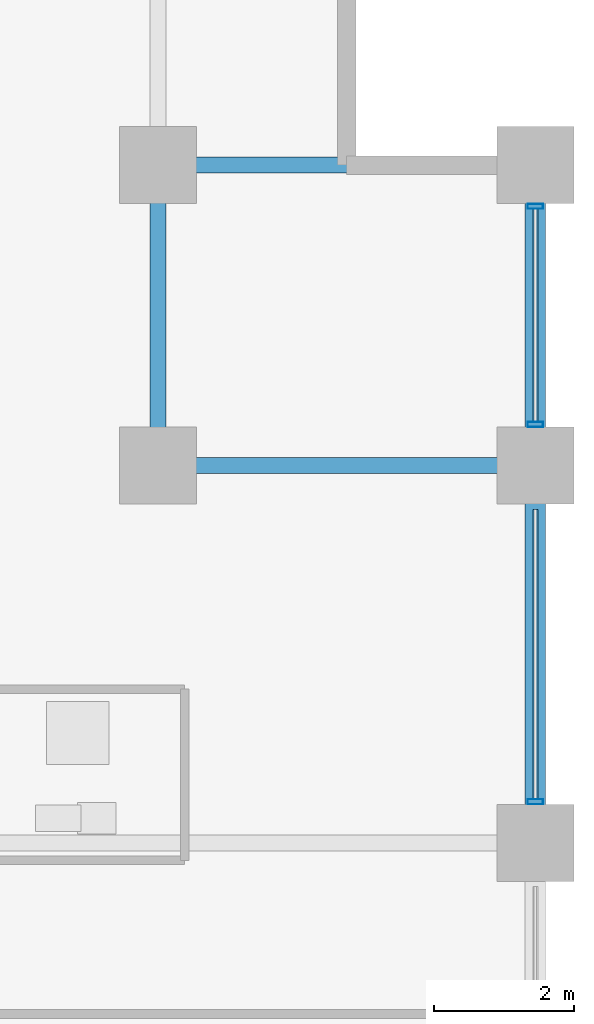
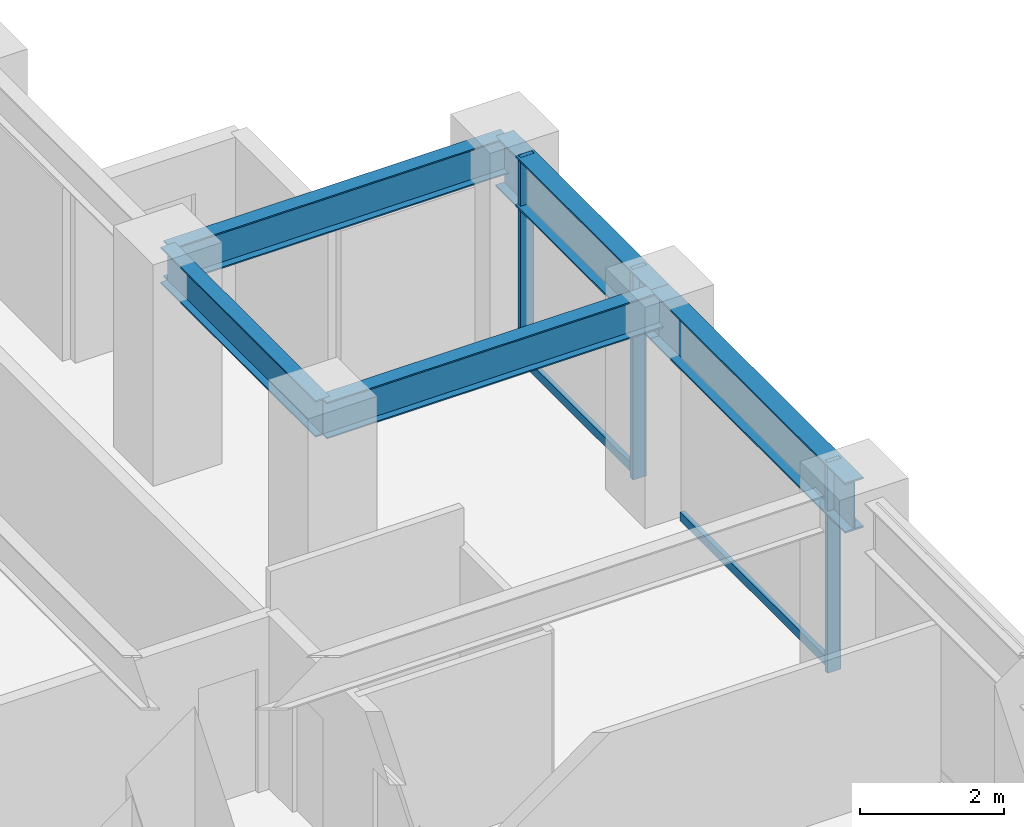
# One storey, part 15 of 25: 5 beams, 5 members, 1 element without a shape of its own.
"""IFC4 building model written with IfcOpenShell, lengths in metres."""

import ifcopenshell
import ifcopenshell.guid

model = None  # the IFC model being written
_history = None  # IfcOwnerHistory: only IFC2X3 demands one
_inside = {}  # id of a spatial element -> (the spatial element, [elements in it])
_under = {}  # id of a project, library or spatial element -> (it, [spatial elements below it])
_declared = {}  # id of a project -> (the project, [libraries it declares])
_typed = {}  # id of a type object -> (the type object, [elements of that type])
_made_of = {}  # id of a material, layer set ... -> (it, [elements and type objects made of it])


def new_model(schema):
    """Start an empty IFC model of exactly this schema.

    Asked for "IFC4X3", IfcOpenShell would pick the latest addendum, in which some entities
    have other attributes; the version numbers below select the first issue.
    IFC2X3 requires an IfcOwnerHistory on every rooted entity: one is made here for all.
    """
    global model, _history
    if schema == "IFC4X3":
        model = ifcopenshell.file(schema_version=(4, 3, 0, 0))
    else:
        model = ifcopenshell.file(schema=schema)
    _inside.clear()
    _under.clear()
    _declared.clear()
    _typed.clear()
    _made_of.clear()
    _history = None
    if model.schema == "IFC2X3":
        org = make("IfcOrganization", Name="unknown")
        user = make(
            "IfcPersonAndOrganization",
            ThePerson=make("IfcPerson", FamilyName="unknown"),
            TheOrganization=org,
        )
        app = make(
            "IfcApplication",
            ApplicationDeveloper=org,
            Version="unknown",
            ApplicationFullName="unknown",
            ApplicationIdentifier="unknown",
        )
        _history = make(
            "IfcOwnerHistory",
            OwningUser=user,
            OwningApplication=app,
            ChangeAction="ADDED",
            CreationDate=0,
        )
    return model


def make(cls, **values):
    """One entity of the class cls with the attributes given. An attribute that is None is left unset."""
    return model.create_entity(
        cls, **{name: value for name, value in values.items() if value is not None}
    )


def rooted(cls, **values):
    """An entity with a GlobalId (a new one), such as an element, a storey or a relation."""
    return make(cls, GlobalId=ifcopenshell.guid.new(), OwnerHistory=_history, **values)


def si_unit(unit_type, name, prefix=None):
    """IfcSIUnit, for example si_unit("LENGTHUNIT", "METRE", prefix="MILLI")."""
    return make("IfcSIUnit", UnitType=unit_type, Prefix=prefix, Name=name)


def assignment(units):
    """IfcUnitAssignment: the units of a project."""
    return None if units is None else make("IfcUnitAssignment", Units=units)


def point(xyz):
    """IfcCartesianPoint."""
    return None if xyz is None else make("IfcCartesianPoint", Coordinates=xyz)


def direction(xyz):
    """IfcDirection."""
    return None if xyz is None else make("IfcDirection", DirectionRatios=xyz)


def frame(location, z_axis=None, x_axis=None):
    """IfcAxis2Placement3D, a coordinate frame: its origin and axes. An axis left out is left unset."""
    return make(
        "IfcAxis2Placement3D",
        Location=point(location),
        Axis=direction(z_axis),
        RefDirection=direction(x_axis),
    )


def frame_2d(location, x_axis=None):
    """IfcAxis2Placement2D, a coordinate frame in the plane: its origin and x axis."""
    return make(
        "IfcAxis2Placement2D", Location=point(location), RefDirection=direction(x_axis)
    )


def origin():
    """The frame at (0, 0, 0) with its axes left unset."""
    return frame((0.0, 0.0, 0.0))


def origin_2d():
    """The frame at (0, 0) in the plane with its x axis left unset."""
    return frame_2d((0.0, 0.0))


def place(relative_to, where):
    """IfcLocalPlacement: puts the frame where relative to a parent placement (None: the world)."""
    return make(
        "IfcLocalPlacement", PlacementRelTo=relative_to, RelativePlacement=where
    )


def context(
    kind, dimensions, precision=None, world=None, true_north=None, identifier=None
):
    """IfcGeometricRepresentationContext, for example the 3D "Model" context."""
    return make(
        "IfcGeometricRepresentationContext",
        ContextIdentifier=identifier,
        ContextType=kind,
        CoordinateSpaceDimension=dimensions,
        Precision=precision,
        WorldCoordinateSystem=world,
        TrueNorth=true_north,
    )


def subcontext(parent, identifier, kind, view, scale=None):
    """IfcGeometricRepresentationSubContext, for example "Body" below "Model"."""
    return make(
        "IfcGeometricRepresentationSubContext",
        ContextIdentifier=identifier,
        ContextType=kind,
        ParentContext=parent,
        TargetScale=scale,
        TargetView=view,
    )


def project(units=None, contexts=None):
    """IfcProject with its units and contexts."""
    return rooted(
        "IfcProject",
        Name="project",
        RepresentationContexts=contexts,
        UnitsInContext=assignment(units),
    )


def spatial(cls, under=None, at=None, **own):
    """A site, building, storey or space (cls), placed at a placement, below another one or the project."""
    s = rooted(cls, ObjectPlacement=at, **own)
    if under is not None:
        _under.setdefault(under.id(), (under, []))[1].append(s)
    return s


def profile(cls, at=None, kind="AREA", **sizes):
    """A parametric profile (cls). Its sizes go by their IFC names, for example OverallWidth=200.0."""
    return make(cls, ProfileType=kind, Position=at, **sizes)


def hollow_rectangle(**sizes):
    """IfcRectangleHollowProfileDef."""
    return profile("IfcRectangleHollowProfileDef", **sizes)


def i_section(**sizes):
    """IfcIShapeProfileDef."""
    return profile("IfcIShapeProfileDef", **sizes)


def extrude(swept, where, along, depth):
    """IfcExtrudedAreaSolid: the profile swept, set in the frame where, extruded along a direction by depth."""
    return make(
        "IfcExtrudedAreaSolid",
        SweptArea=swept,
        Position=where,
        ExtrudedDirection=direction(along),
        Depth=depth,
    )


def shape(context_of_items, identifier, shape_type, items):
    """IfcShapeRepresentation: the items that make up one representation, for example the "Body"."""
    return make(
        "IfcShapeRepresentation",
        ContextOfItems=context_of_items,
        RepresentationIdentifier=identifier,
        RepresentationType=shape_type,
        Items=items,
    )


def material(Name=None, Category=None):
    """IfcMaterial."""
    return make("IfcMaterial", Name=Name, Category=Category)


def layer(
    of_material, thickness, ventilated=None, Name=None, Category=None, Priority=None
):
    """IfcMaterialLayer: one layer of a wall or slab, of a material (None: an air gap)."""
    return make(
        "IfcMaterialLayer",
        Material=of_material,
        LayerThickness=thickness,
        IsVentilated=ventilated,
        Name=Name,
        Category=Category,
        Priority=Priority,
    )


def layer_set(layers, Name=None):
    """IfcMaterialLayerSet."""
    return make("IfcMaterialLayerSet", MaterialLayers=layers, LayerSetName=Name)


def material_profile(
    of_material, cross_section, Name=None, Category=None, Priority=None
):
    """IfcMaterialProfile: a cross section and its material."""
    return make(
        "IfcMaterialProfile",
        Name=Name,
        Material=of_material,
        Profile=cross_section,
        Priority=Priority,
        Category=Category,
    )


def profile_set(profiles, Name=None, composite=None):
    """IfcMaterialProfileSet."""
    return make(
        "IfcMaterialProfileSet",
        Name=Name,
        MaterialProfiles=profiles,
        CompositeProfile=composite,
    )


def made_of(thing, what):
    """Note that an element or type object is made of a material, layer set ...; save() writes the relation."""
    if what is not None:
        _made_of.setdefault(what.id(), (what, []))[1].append(thing)
    return thing


def type_object(cls, material=None, **own):
    """A type object (cls), such as IfcWallType, which elements share."""
    return made_of(rooted(cls, **own), material)


def element(
    cls,
    number,
    at=None,
    inside=None,
    cuts=None,
    type_object=None,
    material=None,
    context=None,
    identifier="Body",
    shape_type=None,
    held_by="IfcProductDefinitionShape",
    body=None,
    shapes=None,
    **own,
):
    """One element of the class cls, such as IfcWall. Its Tag is "e" and its number.

    at: its placement. inside: the storey or other place that contains it. cuts: it is an
    opening in that element (IfcRelVoidsElement). A single representation is given by context,
    identifier, shape_type and body (its items); several are given by shapes. held_by: the class
    of the entity that holds the representations. save() writes the other relations.
    """
    e = rooted(cls, Tag="e%d" % number, ObjectPlacement=at, **own)
    if body is not None:
        shapes = [shape(context, identifier, shape_type, body)]
    if shapes is not None:
        e.Representation = make(held_by, Representations=shapes)
    if inside is not None:
        _inside.setdefault(inside.id(), (inside, []))[1].append(e)
    if cuts is not None:
        rooted(
            "IfcRelVoidsElement", RelatingBuildingElement=cuts, RelatedOpeningElement=e
        )
    if type_object is not None:
        _typed.setdefault(type_object.id(), (type_object, []))[1].append(e)
    return made_of(e, material)


def aggregate(whole, parts):
    """IfcRelAggregates: a whole, such as a stair, and the parts it consists of."""
    return rooted("IfcRelAggregates", RelatingObject=whole, RelatedObjects=parts)


def save(model, path):
    """Write the relations noted so far, then the file.

    IfcRelAggregates (storeys below a building ...), IfcRelContainedInSpatialStructure (elements
    in a storey), IfcRelDefinesByType, IfcRelAssociatesMaterial and IfcRelDeclares: one each for
    every whole, place, type object, material and project.
    """
    for whole, parts in _under.values():
        aggregate(whole, parts)
    for where, things in _inside.values():
        rooted(
            "IfcRelContainedInSpatialStructure",
            RelatedElements=things,
            RelatingStructure=where,
        )
    for kind, things in _typed.values():
        rooted("IfcRelDefinesByType", RelatedObjects=things, RelatingType=kind)
    for what, things in _made_of.values():
        rooted("IfcRelAssociatesMaterial", RelatedObjects=things, RelatingMaterial=what)
    for by, libraries in _declared.values():
        rooted("IfcRelDeclares", RelatingContext=by, RelatedDefinitions=libraries)
    model.write(path)


model = new_model("IFC4")

# Units and contexts
model_context = context("Model", 3, precision=1e-05, world=origin(), true_north=direction((0.0, 1.0)))
body_context = subcontext(model_context, "Body", "Model", "MODEL_VIEW")
ifc_project = project(units=[si_unit("LENGTHUNIT", "METRE"), si_unit("AREAUNIT", "SQUARE_METRE"), si_unit("VOLUMEUNIT", "CUBIC_METRE"), si_unit("PLANEANGLEUNIT", "RADIAN"), si_unit("MASSUNIT", "GRAM", prefix="KILO")], contexts=[model_context])

# Site, building, storey
site_placement = place(None, origin())
site = spatial("IfcSite", under=ifc_project, at=site_placement, CompositionType="ELEMENT")
building_placement = place(site_placement, origin())
building = spatial("IfcBuilding", under=site, at=building_placement, Name="Surkhivell Harbour Commons", CompositionType="ELEMENT")
storey_placement = place(building_placement, frame((0.0, 0.0, 117.0)))
storey = spatial("IfcBuildingStorey", under=building, at=storey_placement, Name="L30", CompositionType="ELEMENT", Elevation=117.0)

# Beams
ifc_material_1 = material(Name="Steel S355", Category="steel")
ifc_material_profile_1 = material_profile(ifc_material_1, i_section(OverallWidth=0.22998046875, OverallDepth=0.616943359375, WebThickness=0.01318359375, FlangeThickness=0.022216796875, at=origin_2d()), Name="UB610x229x140")
ifc_profile_set_1 = profile_set([ifc_material_profile_1], Name="Steel S355")
beam_type_1 = type_object("IfcBeamType", Name="BM-GRD-610B", PredefinedType="BEAM", material=ifc_profile_set_1)
beam_1_placement = place(storey_placement, frame((16.199951171875, 16.199951171875, 3.261474609375), z_axis=(0.0, 1.0, 0.0), x_axis=(-1.0, 0.0, 0.0)))
element("IfcBeam", 1, at=beam_1_placement, inside=storey, type_object=beam_type_1, Name="L30 Floor Girder (16.2,16.2)", PredefinedType="BEAM", context=body_context, shape_type="SweptSolid", body=[
    extrude(i_section(OverallWidth=0.22998046875, OverallDepth=0.616943359375, WebThickness=0.01318359375, FlangeThickness=0.022216796875, at=origin_2d()), origin(), (0.0, 0.0, 1.0), 4.300048828125),
])
for number, where, z_axis, x_axis, name in (
    (2, (16.199951171875, 16.199951171875, 3.261474609375), (1.0, 0.0, 0.0), (0.0, 1.0, 0.0), "L30 Floor Girder (16.2,16.2)"),
    (3, (16.199951171875, 20.5, 3.261474609375), (1.0, 0.0, 0.0), (0.0, 1.0, 0.0), "L30 Floor Girder (16.2,20.5)"),
):
    element("IfcBeam", number, at=place(storey_placement, frame(where, z_axis=z_axis, x_axis=x_axis)), inside=storey, type_object=beam_type_1, Name=name, PredefinedType="BEAM", context=body_context, shape_type="SweptSolid", body=[
        extrude(i_section(OverallWidth=0.22998046875, OverallDepth=0.616943359375, WebThickness=0.01318359375, FlangeThickness=0.022216796875, at=origin_2d()), origin(), (0.0, 0.0, 1.0), 5.400146484375),
    ])
ifc_material_2 = material(Name="Steel S460", Category="steel")
ifc_material_profile_2 = material_profile(ifc_material_2, i_section(OverallWidth=0.2939453125, OverallDepth=0.85107421875, WebThickness=0.01611328125, FlangeThickness=0.02685546875, at=origin_2d()), Name="UB838x292x226")
ifc_profile_set_2 = profile_set([ifc_material_profile_2], Name="Steel S460")
beam_type_2 = type_object("IfcBeamType", Name="BM-SPN-838", PredefinedType="SPANDREL", material=ifc_profile_set_2)
beam_2_placement = place(storey_placement, frame((21.60009765625, 10.800048828125, 3.14453125), z_axis=(0.0, 1.0, 0.0), x_axis=(-1.0, 0.0, 0.0)))
element("IfcBeam", 4, at=beam_2_placement, inside=storey, type_object=beam_type_2, Name="L30 Tube Spandrel (21.6,10.8)", PredefinedType="SPANDREL", context=body_context, shape_type="SweptSolid", body=[
    extrude(i_section(OverallWidth=0.2939453125, OverallDepth=0.85107421875, WebThickness=0.01611328125, FlangeThickness=0.02685546875, at=origin_2d()), origin(), (0.0, 0.0, 1.0), 5.39990234375),
])
beam_3_placement = place(storey_placement, frame((21.60009765625, 16.199951171875, 3.14453125), z_axis=(0.0, 1.0, 0.0), x_axis=(-1.0, 0.0, 0.0)))
element("IfcBeam", 5, at=beam_3_placement, inside=storey, type_object=beam_type_2, Name="L30 Tube Spandrel (21.6,16.2)", PredefinedType="SPANDREL", context=body_context, shape_type="SweptSolid", body=[
    extrude(i_section(OverallWidth=0.2939453125, OverallDepth=0.85107421875, WebThickness=0.01611328125, FlangeThickness=0.02685546875, at=origin_2d()), origin(), (0.0, 0.0, 1.0), 4.300048828125),
])

# Curtain wall, members
ifc_material_3 = material(Name="Anodised pale-metal aluminium and insulated glazing", Category="aluminium")
ifc_layer = layer(ifc_material_3, 0.205078125)
ifc_layer_set = layer_set([ifc_layer], Name="Anodised pale-metal aluminium and insulated glazing")
curtain_wall_type = type_object("IfcCurtainWallType", Name="CW-SYS-Z2", PredefinedType="NOTDEFINED", material=ifc_layer_set)
curtain_wall_placement = place(storey_placement, origin())
curtain_wall = element("IfcCurtainWall", 6, at=curtain_wall_placement, inside=storey, type_object=curtain_wall_type, Name="L30 Curtain Wall CW-L30-E02", PredefinedType="NOTDEFINED")
ifc_material_4 = material(Name="Anodised pale-metal aluminium alloy 6063-T6", Category="aluminium")
ifc_material_profile_3 = material_profile(ifc_material_4, hollow_rectangle(XDim=0.074951171875, YDim=0.219970703125, WallThickness=0.00390625, at=origin_2d()), Name="ALU-MULL-75x220")
ifc_profile_set_3 = profile_set([ifc_material_profile_3], Name="Anodised pale-metal aluminium alloy 6063-T6")
member_type_1 = type_object("IfcMemberType", Name="CWM-220", PredefinedType="MULLION", material=ifc_profile_set_3)
member_1_placement = place(storey_placement, frame((21.60009765625, 11.389404296875, 0.0), z_axis=(0.0, 0.0, 1.0), x_axis=(0.0, 1.0, 0.0)))
member_1 = element("IfcMember", 7, at=member_1_placement, type_object=member_type_1, Name="CW-Z2 mullion 4", PredefinedType="MULLION", context=body_context, shape_type="SweptSolid", body=[
    extrude(hollow_rectangle(XDim=0.074951171875, YDim=0.219970703125, WallThickness=0.00390625, at=origin_2d()), origin(), (0.0, 0.0, 1.0), 3.570068359375),
])
member_2_placement = place(storey_placement, frame((21.60009765625, 16.78955078125, 0.0), z_axis=(0.0, 0.0, 1.0), x_axis=(0.0, 1.0, 0.0)))
member_2 = element("IfcMember", 8, at=member_2_placement, type_object=member_type_1, Name="CW-Z2 mullion 5", PredefinedType="MULLION", context=body_context, shape_type="SweptSolid", body=[
    extrude(hollow_rectangle(XDim=0.074951171875, YDim=0.219970703125, WallThickness=0.00390625, at=origin_2d()), origin(), (0.0, 0.0, 1.0), 3.570068359375),
])
member_3_placement = place(storey_placement, frame((21.60009765625, 19.910400390625, 0.0), z_axis=(0.0, 0.0, 1.0), x_axis=(0.0, 1.0, 0.0)))
member_3 = element("IfcMember", 9, at=member_3_placement, type_object=member_type_1, Name="CW-Z2 mullion 6", PredefinedType="MULLION", context=body_context, shape_type="SweptSolid", body=[
    extrude(hollow_rectangle(XDim=0.074951171875, YDim=0.219970703125, WallThickness=0.00390625, at=origin_2d()), origin(), (0.0, 0.0, 1.0), 3.570068359375),
])
ifc_material_profile_4 = material_profile(ifc_material_4, hollow_rectangle(XDim=0.074951171875, YDim=0.14990234375, WallThickness=0.00341796875, at=origin_2d()), Name="ALU-TRAN-75x150")
ifc_profile_set_4 = profile_set([ifc_material_profile_4], Name="Anodised pale-metal aluminium alloy 6063-T6")
member_type_2 = type_object("IfcMemberType", Name="CWT-150", PredefinedType="USERDEFINED", material=ifc_profile_set_4)
member_4_placement = place(storey_placement, frame((21.60009765625, 11.427001953125, 0.074951171875), z_axis=(0.0, 1.0, 0.0), x_axis=(-1.0, 0.0, 0.0)))
member_4 = element("IfcMember", 10, at=member_4_placement, type_object=member_type_2, Name="CW-Z2 transom 4.1", ObjectType="TRANSOM", PredefinedType="USERDEFINED", context=body_context, shape_type="SweptSolid", body=[
    extrude(hollow_rectangle(XDim=0.074951171875, YDim=0.14990234375, WallThickness=0.00341796875, at=origin_2d()), origin(), (0.0, 0.0, 1.0), 4.14599609375),
])
member_5_placement = place(storey_placement, frame((21.60009765625, 16.826904296875, 0.074951171875), z_axis=(0.0, 1.0, 0.0), x_axis=(-1.0, 0.0, 0.0)))
member_5 = element("IfcMember", 11, at=member_5_placement, type_object=member_type_2, Name="CW-Z2 transom 5.1", ObjectType="TRANSOM", PredefinedType="USERDEFINED", context=body_context, shape_type="SweptSolid", body=[
    extrude(hollow_rectangle(XDim=0.074951171875, YDim=0.14990234375, WallThickness=0.00341796875, at=origin_2d()), origin(), (0.0, 0.0, 1.0), 3.046142578125),
])
aggregate(curtain_wall, [member_1, member_4, member_2, member_3, member_5])

save(model, "model.ifc")
